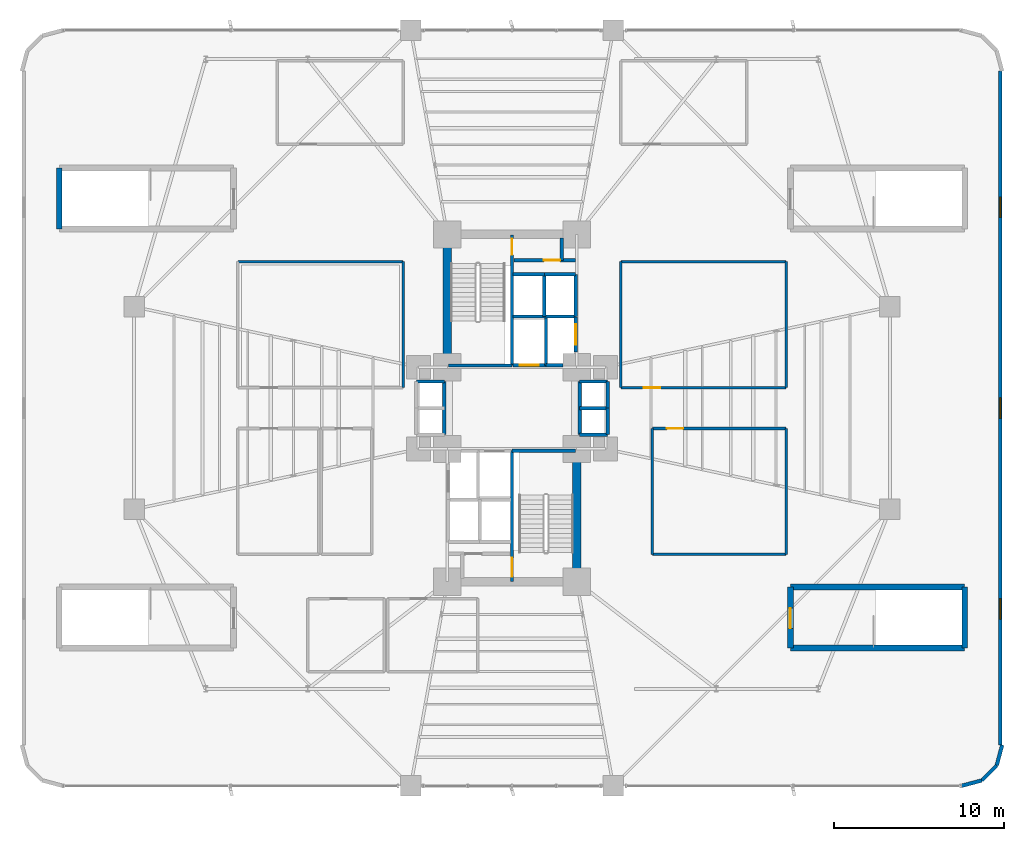
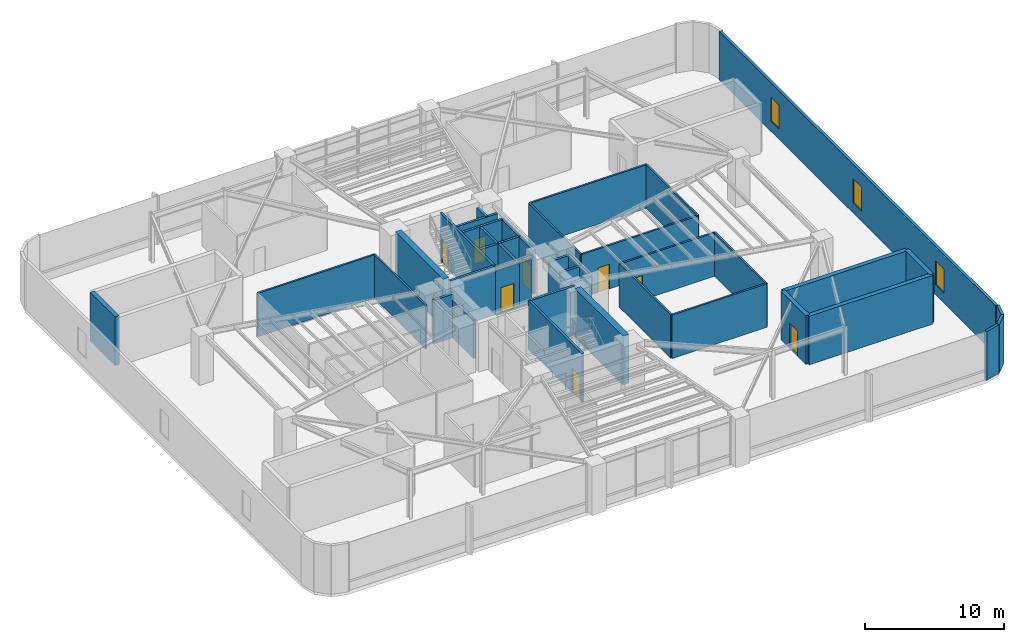
# One storey, part 22 of 26: 44 walls, 8 doors, 3 windows, 11 openings.
"""IFC4 building model written with IfcOpenShell, lengths in metres."""

from ifc_helpers import new_model, si_unit, direction, frame, frame_2d, origin, origin_2d, place, context, subcontext, project, spatial, rectangle, extrude, source, transform, mapped, material, layer, layer_set, type_object, element, fill, save


model = new_model("IFC4")

# Units and contexts
model_context = context("Model", 3, precision=1e-05, world=origin(), true_north=direction((0.0, 1.0)))
body_context = subcontext(model_context, "Body", "Model", "MODEL_VIEW")
ifc_project = project(units=[si_unit("LENGTHUNIT", "METRE"), si_unit("AREAUNIT", "SQUARE_METRE"), si_unit("VOLUMEUNIT", "CUBIC_METRE"), si_unit("PLANEANGLEUNIT", "RADIAN"), si_unit("MASSUNIT", "GRAM", prefix="KILO")], contexts=[model_context])

# Site, building, storey
site_placement = place(None, origin())
site = spatial("IfcSite", under=ifc_project, at=site_placement, CompositionType="ELEMENT")
building_placement = place(site_placement, origin())
building = spatial("IfcBuilding", under=site, at=building_placement, Name="Sahyath Konkavel Grand Hotel", CompositionType="ELEMENT")
storey_placement = place(building_placement, frame((0.0, 0.0, 18.60009765625)))
storey = spatial("IfcBuildingStorey", under=building, at=storey_placement, Name="L04", CompositionType="ELEMENT", Elevation=18.60009765625)

# Walls
ifc_material_1 = material(Name="Concrete C40/50", Category="concrete")
ifc_layer_1 = layer(ifc_material_1, 0.35009765625)
ifc_layer_set_1 = layer_set([ifc_layer_1], Name="Concrete C40/50")
wall_type_1 = type_object("IfcWallType", Name="CWALL-350", PredefinedType="SHEAR", material=ifc_layer_set_1)
wall_1_placement = place(storey_placement, frame((-26.60009765625, 10.52001953125, 0.0), z_axis=(0.0, 0.0, 1.0), x_axis=(0.0, 1.0, 0.0)))
element("IfcWall", 1, at=wall_1_placement, inside=storey, type_object=wall_type_1, Name="L04 Partition ST-P1-W", PredefinedType="SHEAR", context=body_context, shape_type="SweptSolid", body=[
    extrude(rectangle(XDim=3.580078125, YDim=0.35009765625, at=frame_2d((1.7900390625, 0.0))), origin(), (0.0, 0.0, 1.0), 4.260009765625),
])
for number, where, z_axis, x_axis, name in (
    (2, (16.35009765625, -10.52001953125, 0.0), (0.0, 0.0, 1.0), (1.0, 0.0, 0.0), "L04 Partition ST-P4-N"),
    (3, (16.35009765625, -14.10009765625, 0.0), (0.0, 0.0, 1.0), (1.0, 0.0, 0.0), "L04 Partition ST-P4-S"),
):
    element("IfcWall", number, at=place(storey_placement, frame(where, z_axis=z_axis, x_axis=x_axis)), inside=storey, type_object=wall_type_1, Name=name, PredefinedType="SHEAR", context=body_context, shape_type="SweptSolid", body=[
        extrude(rectangle(XDim=10.25, YDim=0.35009765625, at=frame_2d((5.125, 0.0))), origin(), (0.0, 0.0, 1.0), 4.260009765625),
    ])

# Wall, opening, door
wall_2_placement = place(storey_placement, frame((16.35009765625, -14.10009765625, 0.0), z_axis=(0.0, 0.0, 1.0), x_axis=(0.0, 1.0, 0.0)))
wall_2 = element("IfcWall", 4, at=wall_2_placement, inside=storey, type_object=wall_type_1, Name="L04 Partition ST-P4-W", PredefinedType="SHEAR", context=body_context, shape_type="SweptSolid", body=[
    extrude(rectangle(XDim=3.580078125, YDim=0.35009765625, at=frame_2d((1.7900390625, 0.0))), origin(), (0.0, 0.0, 1.0), 4.260009765625),
])
opening_1_placement = place(wall_2_placement, frame((1.14990234375, 0.0, 0.0)))
opening_1 = element("IfcOpeningElement", 5, at=opening_1_placement, cuts=wall_2, Name="Opening D-F12A", PredefinedType="OPENING", context=body_context, shape_type="SweptSolid", body=[
    extrude(rectangle(XDim=1.199951171875, YDim=2.199951171875, at=frame_2d((0.60009765625, 1.10009765625))), frame((0.0, 0.18505859375, 0.0), z_axis=(0.0, -1.0, 0.0), x_axis=(1.0, 0.0, 0.0)), (0.0, 0.0, 1.0), 0.3701171875),
])
ifc_material_2 = material(Name="Steel E350 Fire Door", Category="steel")
door_type_1 = type_object("IfcDoorType", Name="DR-FD120-1200", OperationType="NOTDEFINED", PredefinedType="DOOR", material=ifc_material_2)
shared_shape_1 = source(origin(), body_context, "Body", "SweptSolid", [
    extrude(rectangle(XDim=1.199951171875, YDim=0.050048828125, at=origin_2d()), origin(), (0.0, 0.0, 1.0), 2.199951171875),
])
door_1_placement = place(opening_1_placement, frame((0.60009765625, 0.0, 0.0)))
door_1 = element("IfcDoor", 6, at=door_1_placement, inside=storey, type_object=door_type_1, Name="L04 ST-P4 Fire Door", OperationType="SINGLE_SWING_LEFT", OverallHeight=2.199951171875, OverallWidth=1.199951171875, PredefinedType="DOOR", context=body_context, shape_type="MappedRepresentation", body=[
    mapped(shared_shape_1, transform((0.0, 0.0, 0.0), scale=1.0)),
])
fill(opening_1, door_1)

# Walls
wall_3_placement = place(storey_placement, frame((26.60009765625, -14.10009765625, 0.0), z_axis=(0.0, 0.0, 1.0), x_axis=(0.0, 1.0, 0.0)))
element("IfcWall", 7, at=wall_3_placement, inside=storey, type_object=wall_type_1, Name="L04 Partition ST-P4-E", PredefinedType="SHEAR", context=body_context, shape_type="SweptSolid", body=[
    extrude(rectangle(XDim=3.580078125, YDim=0.35009765625, at=frame_2d((1.7900390625, 0.0))), origin(), (0.0, 0.0, 1.0), 4.260009765625),
])
ifc_material_3 = material(Name="Concrete C70/85", Category="concrete")
ifc_layer_2 = layer(ifc_material_3, 0.5)
ifc_layer_set_2 = layer_set([ifc_layer_2], Name="Concrete C70/85")
wall_type_2 = type_object("IfcWallType", Name="CWALL-500", PredefinedType="SHEAR", material=ifc_layer_set_2)
for number, where, z_axis, x_axis, name in (
    (8, (-3.800048828125, 2.85009765625, 0.0), (0.0, 0.0, 1.0), (0.0, 1.0, 0.0), "L04 North Core Shear Wall W"),
    (9, (3.800048828125, -9.75, 0.0), (0.0, 0.0, 1.0), (0.0, 1.0, 0.0), "L04 South Core Shear Wall E"),
):
    element("IfcWall", number, at=place(storey_placement, frame(where, z_axis=z_axis, x_axis=x_axis)), inside=storey, type_object=wall_type_2, Name=name, PredefinedType="SHEAR", context=body_context, shape_type="SweptSolid", body=[
        extrude(rectangle(XDim=6.89990234375, YDim=0.5, at=frame_2d((3.449951171875, 0.0))), origin(), (0.0, 0.0, 1.0), 4.260009765625),
    ])
ifc_material_4 = material(Name="Warm Buff Sandstone Insulated Concrete C40/50", Category="masonry")
ifc_layer_3 = layer(ifc_material_4, 0.219970703125)
ifc_layer_set_3 = layer_set([ifc_layer_3], Name="Warm Buff Sandstone Insulated Concrete C40/50")
wall_type_3 = type_object("IfcWallType", Name="WLL-BALC-THRESH", PredefinedType="STANDARD", material=ifc_layer_set_3)
wall_4_placement = place(storey_placement, frame((26.39990234375, -22.199951171875, 0.0), z_axis=(0.0, 0.0, 1.0), x_axis=(0.965937527666, 0.25877537102, 0.0)))
element("IfcWall", 10, at=wall_4_placement, inside=storey, type_object=wall_type_3, Name="L04 Rounded Podium Corner Sandstone Pier 0", PredefinedType="STANDARD", context=body_context, shape_type="SweptSolid", body=[
    extrude(rectangle(XDim=1.242431640625, YDim=0.219970703125, at=frame_2d((0.62109375, 0.0))), origin(), (0.0, 0.0, 1.0), 4.260009765625),
])
for number, where, z_axis, x_axis, name in (
    (11, (27.60009765625, -21.87841796875, 0.0), (0.0, 0.0, 1.0), (0.707106781187, 0.707106781187, 0.0), "L04 Rounded Podium Corner Sandstone Pier 1"),
    (12, (28.478515625, -21.0, 0.0), (0.0, 0.0, 1.0), (0.258824494443, 0.965924366126, 0.0), "L04 Rounded Podium Corner Sandstone Pier 2"),
):
    element("IfcWall", number, at=place(storey_placement, frame(where, z_axis=z_axis, x_axis=x_axis)), inside=storey, type_object=wall_type_3, Name=name, PredefinedType="STANDARD", context=body_context, shape_type="SweptSolid", body=[
        extrude(rectangle(XDim=1.2421875, YDim=0.219970703125, at=frame_2d((0.62109375, 0.0))), origin(), (0.0, 0.0, 1.0), 4.260009765625),
    ])

# Wall, openings, windows
wall_5_placement = place(storey_placement, frame((28.68994140625, -19.800048828125, 0.0), z_axis=(0.0, 0.0, 1.0), x_axis=(0.0, 1.0, 0.0)))
wall_5 = element("IfcWall", 13, at=wall_5_placement, inside=storey, type_object=wall_type_3, Name="L04 Sandstone Podium Facade Wall E", PredefinedType="STANDARD", context=body_context, shape_type="SweptSolid", body=[
    extrude(rectangle(XDim=39.60009765625, YDim=0.219970703125, at=frame_2d((19.800048828125, 0.0))), origin(), (0.0, 0.0, 1.0), 4.260009765625),
])
opening_2_placement = place(wall_5_placement, frame((7.39990234375, 0.0, 0.89990234375)))
opening_2 = element("IfcOpeningElement", 14, at=opening_2_placement, cuts=wall_5, Name="Opening W-PD2", PredefinedType="OPENING", context=body_context, shape_type="SweptSolid", body=[
    extrude(rectangle(XDim=1.199951171875, YDim=2.10009765625, at=frame_2d((0.60009765625, 1.050048828125))), frame((0.0, 0.1201171875, 0.0), z_axis=(0.0, -1.0, 0.0), x_axis=(1.0, 0.0, 0.0)), (0.0, 0.0, 1.0), 0.239990234375),
])
opening_3_placement = place(wall_5_placement, frame((19.199951171875, 0.0, 0.89990234375)))
opening_3 = element("IfcOpeningElement", 15, at=opening_3_placement, cuts=wall_5, Name="Opening W-PD2", PredefinedType="OPENING", context=body_context, shape_type="SweptSolid", body=[
    extrude(rectangle(XDim=1.199951171875, YDim=2.10009765625, at=frame_2d((0.60009765625, 1.050048828125))), frame((0.0, 0.1201171875, 0.0), z_axis=(0.0, -1.0, 0.0), x_axis=(1.0, 0.0, 0.0)), (0.0, 0.0, 1.0), 0.239990234375),
])
opening_4_placement = place(wall_5_placement, frame((31.0, 0.0, 0.89990234375)))
opening_4 = element("IfcOpeningElement", 16, at=opening_4_placement, cuts=wall_5, Name="Opening W-PD2", PredefinedType="OPENING", context=body_context, shape_type="SweptSolid", body=[
    extrude(rectangle(XDim=1.199951171875, YDim=2.10009765625, at=frame_2d((0.60009765625, 1.050048828125))), frame((0.0, 0.1201171875, 0.0), z_axis=(0.0, -1.0, 0.0), x_axis=(1.0, 0.0, 0.0)), (0.0, 0.0, 1.0), 0.239990234375),
])
ifc_material_5 = material(Name="Anodised Bronze Aluminium & Low-E Glazing", Category="aluminium")
window_type = type_object("IfcWindowType", Name="WIN-POD-1200", PartitioningType="SINGLE_PANEL", PredefinedType="WINDOW", material=ifc_material_5)
shared_shape_2 = source(origin(), body_context, "Body", "SweptSolid", [
    extrude(rectangle(XDim=1.199951171875, YDim=0.06005859375, at=origin_2d()), origin(), (0.0, 0.0, 1.0), 2.10009765625),
])
window_1_placement = place(opening_2_placement, frame((0.60009765625, 0.0, 0.0)))
window_1 = element("IfcWindow", 17, at=window_1_placement, inside=storey, type_object=window_type, Name="L04 Podium Window E-1", OverallHeight=2.10009765625, OverallWidth=1.199951171875, PartitioningType="SINGLE_PANEL", PredefinedType="WINDOW", context=body_context, shape_type="MappedRepresentation", body=[
    mapped(shared_shape_2, transform((0.0, 0.0, 0.0), scale=1.0)),
])
fill(opening_2, window_1)
window_2_placement = place(opening_3_placement, frame((0.60009765625, 0.0, 0.0)))
window_2 = element("IfcWindow", 18, at=window_2_placement, inside=storey, type_object=window_type, Name="L04 Podium Window E-2", OverallHeight=2.10009765625, OverallWidth=1.199951171875, PartitioningType="SINGLE_PANEL", PredefinedType="WINDOW", context=body_context, shape_type="MappedRepresentation", body=[
    mapped(shared_shape_2, transform((0.0, 0.0, 0.0), scale=1.0)),
])
fill(opening_3, window_2)
window_3_placement = place(opening_4_placement, frame((0.60009765625, 0.0, 0.0)))
window_3 = element("IfcWindow", 19, at=window_3_placement, inside=storey, type_object=window_type, Name="L04 Podium Window E-3", OverallHeight=2.10009765625, OverallWidth=1.199951171875, PartitioningType="SINGLE_PANEL", PredefinedType="WINDOW", context=body_context, shape_type="MappedRepresentation", body=[
    mapped(shared_shape_2, transform((0.0, 0.0, 0.0), scale=1.0)),
])
fill(opening_4, window_3)

# Wall, opening, door
ifc_layer_4 = layer(ifc_material_1, 0.199951171875)
ifc_layer_set_4 = layer_set([ifc_layer_4], Name="Concrete C40/50")
wall_type_4 = type_object("IfcWallType", Name="WLL-CORE-200", PredefinedType="SOLIDWALL", material=ifc_layer_set_4)
wall_6_placement = place(storey_placement, frame((0.0, 2.5, 0.0), z_axis=(0.0, 0.0, 1.0), x_axis=(0.0, 1.0, 0.0)))
wall_6 = element("IfcWall", 20, at=wall_6_placement, inside=storey, type_object=wall_type_4, Name="L04 Stair ST-1 Shaft Wall E", PredefinedType="SOLIDWALL", context=body_context, shape_type="SweptSolid", body=[
    extrude(rectangle(XDim=7.679931640625, YDim=0.199951171875, at=frame_2d((3.83984375, 0.0))), origin(), (0.0, 0.0, 1.0), 4.260009765625),
])
opening_5_placement = place(wall_6_placement, frame((6.5, 0.0, 0.0)))
opening_5 = element("IfcOpeningElement", 21, at=opening_5_placement, cuts=wall_6, Name="Opening D-F12C", PredefinedType="OPENING", context=body_context, shape_type="SweptSolid", body=[
    extrude(rectangle(XDim=0.949951171875, YDim=2.14990234375, at=frame_2d((0.47509765625, 1.074951171875))), frame((0.0, 0.10986328125, 0.0), z_axis=(0.0, -1.0, 0.0), x_axis=(1.0, 0.0, 0.0)), (0.0, 0.0, 1.0), 0.219970703125),
])
ifc_material_6 = material(Name="Steel E350 Plant Fire Door", Category="steel")
door_type_2 = type_object("IfcDoorType", Name="DR-FD120-950", OperationType="NOTDEFINED", PredefinedType="DOOR", material=ifc_material_6)
shared_shape_3 = source(origin(), body_context, "Body", "SweptSolid", [
    extrude(rectangle(XDim=0.949951171875, YDim=0.050048828125, at=origin_2d()), origin(), (0.0, 0.0, 1.0), 2.14990234375),
])
door_2_placement = place(opening_5_placement, frame((0.47509765625, 0.0, 0.0)))
door_2 = element("IfcDoor", 22, at=door_2_placement, inside=storey, type_object=door_type_2, Name="L04 Stair ST-1 Fire Door", OperationType="SINGLE_SWING_RIGHT", OverallHeight=2.14990234375, OverallWidth=0.949951171875, PredefinedType="DOOR", context=body_context, shape_type="MappedRepresentation", body=[
    mapped(shared_shape_3, transform((0.0, 0.0, 0.0), scale=1.0)),
])
fill(opening_5, door_2)

# Wall
wall_7_placement = place(storey_placement, frame((-3.719970703125, 2.5, 0.0), z_axis=(0.0, 0.0, 1.0), x_axis=(1.0, 0.0, 0.0)))
element("IfcWall", 23, at=wall_7_placement, inside=storey, type_object=wall_type_4, Name="L04 Stair ST-1 Shaft Wall S", PredefinedType="SOLIDWALL", context=body_context, shape_type="SweptSolid", body=[
    extrude(rectangle(XDim=3.719970703125, YDim=0.199951171875, at=frame_2d((1.85986328125, 0.0))), origin(), (0.0, 0.0, 1.0), 4.260009765625),
])

# Wall, opening, door
wall_8_placement = place(storey_placement, frame((0.0, -10.179931640625, 0.0), z_axis=(0.0, 0.0, 1.0), x_axis=(0.0, 1.0, 0.0)))
wall_8 = element("IfcWall", 24, at=wall_8_placement, inside=storey, type_object=wall_type_4, Name="L04 Stair ST-2 Shaft Wall W", PredefinedType="SOLIDWALL", context=body_context, shape_type="SweptSolid", body=[
    extrude(rectangle(XDim=7.679931640625, YDim=0.199951171875, at=frame_2d((3.83984375, 0.0))), origin(), (0.0, 0.0, 1.0), 4.260009765625),
])
opening_6_placement = place(wall_8_placement, frame((0.280029296875, 0.0, 0.0)))
opening_6 = element("IfcOpeningElement", 25, at=opening_6_placement, cuts=wall_8, Name="Opening D-F12B", PredefinedType="OPENING", context=body_context, shape_type="SweptSolid", body=[
    extrude(rectangle(XDim=1.10009765625, YDim=2.14990234375, at=frame_2d((0.550048828125, 1.074951171875))), frame((0.0, 0.10986328125, 0.0), z_axis=(0.0, -1.0, 0.0), x_axis=(1.0, 0.0, 0.0)), (0.0, 0.0, 1.0), 0.219970703125),
])
ifc_material_7 = material(Name="Steel E350 Smokeproof Fire Door", Category="steel")
door_type_3 = type_object("IfcDoorType", Name="DR-FD120-1100", OperationType="NOTDEFINED", PredefinedType="DOOR", material=ifc_material_7)
shared_shape_4 = source(origin(), body_context, "Body", "SweptSolid", [
    extrude(rectangle(XDim=1.10009765625, YDim=0.050048828125, at=origin_2d()), origin(), (0.0, 0.0, 1.0), 2.14990234375),
])
door_3_placement = place(opening_6_placement, frame((0.550048828125, 0.0, 0.0)))
door_3 = element("IfcDoor", 26, at=door_3_placement, inside=storey, type_object=door_type_3, Name="L04 Stair ST-2 Fire Door", OperationType="SINGLE_SWING_RIGHT", OverallHeight=2.14990234375, OverallWidth=1.10009765625, PredefinedType="DOOR", context=body_context, shape_type="MappedRepresentation", body=[
    mapped(shared_shape_4, transform((0.0, 0.0, 0.0), scale=1.0)),
])
fill(opening_6, door_3)

# Walls
wall_9_placement = place(storey_placement, frame((0.0, -2.5, 0.0), z_axis=(0.0, 0.0, 1.0), x_axis=(1.0, 0.0, 0.0)))
element("IfcWall", 27, at=wall_9_placement, inside=storey, type_object=wall_type_4, Name="L04 Stair ST-2 Shaft Wall N", PredefinedType="SOLIDWALL", context=body_context, shape_type="SweptSolid", body=[
    extrude(rectangle(XDim=3.719970703125, YDim=0.199951171875, at=frame_2d((1.85986328125, 0.0))), origin(), (0.0, 0.0, 1.0), 4.260009765625),
])
wall_10_placement = place(storey_placement, frame((2.0, 2.5, 0.0), z_axis=(0.0, 0.0, 1.0), x_axis=(0.0, 1.0, 0.0)))
element("IfcWall", 28, at=wall_10_placement, inside=storey, type_object=wall_type_4, Name="L04 Partition SH-FFL1-E", PredefinedType="SOLIDWALL", context=body_context, shape_type="SweptSolid", body=[
    extrude(rectangle(XDim=2.780029296875, YDim=0.199951171875, at=frame_2d((1.39013671875, 0.0))), origin(), (0.0, 0.0, 1.0), 3.809814453125),
])

# Wall, opening, door
wall_11_placement = place(storey_placement, frame((0.050048828125, 2.52001953125, 0.0), z_axis=(0.0, 0.0, 1.0), x_axis=(1.0, 0.0, 0.0)))
wall_11 = element("IfcWall", 29, at=wall_11_placement, inside=storey, type_object=wall_type_4, Name="L04 Partition SH-FFL1-S", PredefinedType="SOLIDWALL", context=body_context, shape_type="SweptSolid", body=[
    extrude(rectangle(XDim=1.949951171875, YDim=0.199951171875, at=frame_2d((0.97509765625, 0.0))), origin(), (0.0, 0.0, 1.0), 3.809814453125),
])
opening_7_placement = place(wall_11_placement, frame((0.419921875, 0.0, 0.0)))
opening_7 = element("IfcOpeningElement", 30, at=opening_7_placement, cuts=wall_11, Name="Opening LD-11", PredefinedType="OPENING", context=body_context, shape_type="SweptSolid", body=[
    extrude(rectangle(XDim=1.10009765625, YDim=2.199951171875, at=frame_2d((0.550048828125, 1.10009765625))), frame((0.0, 0.10986328125, 0.0), z_axis=(0.0, -1.0, 0.0), x_axis=(1.0, 0.0, 0.0)), (0.0, 0.0, 1.0), 0.219970703125),
])
ifc_material_8 = material(Name="Bronze Lift Landing Door 1100")
door_type_4 = type_object("IfcDoorType", Name="DR-LIFT-1100", OperationType="DOUBLE_DOOR_SLIDING", PredefinedType="DOOR", material=ifc_material_8)
shared_shape_5 = source(origin(), body_context, "Body", "SweptSolid", [
    extrude(rectangle(XDim=1.10009765625, YDim=0.050048828125, at=origin_2d()), origin(), (0.0, 0.0, 1.0), 2.199951171875),
])
door_4_placement = place(opening_7_placement, frame((0.550048828125, 0.0, 0.0)))
door_4 = element("IfcDoor", 31, at=door_4_placement, inside=storey, type_object=door_type_4, Name="L04 Lift FFL-1 Landing Door", OperationType="DOUBLE_DOOR_SLIDING", OverallHeight=2.199951171875, OverallWidth=1.10009765625, PredefinedType="DOOR", context=body_context, shape_type="MappedRepresentation", body=[
    mapped(shared_shape_5, transform((0.0, 0.0, 0.0), scale=1.0)),
])
fill(opening_7, door_4)

# Wall
wall_12_placement = place(storey_placement, frame((2.0, 2.52001953125, 0.0), z_axis=(0.0, 0.0, 1.0), x_axis=(1.0, 0.0, 0.0)))
element("IfcWall", 32, at=wall_12_placement, inside=storey, type_object=wall_type_4, Name="L04 Partition SH-SVL1-S", PredefinedType="SOLIDWALL", context=body_context, shape_type="SweptSolid", body=[
    extrude(rectangle(XDim=1.0, YDim=0.199951171875, at=frame_2d((0.5, 0.0))), origin(), (0.0, 0.0, 1.0), 3.809814453125),
])

# Wall, opening, door
wall_13_placement = place(storey_placement, frame((3.739990234375, 3.280029296875, 0.0), z_axis=(0.0, 0.0, 1.0), x_axis=(0.0, 1.0, 0.0)))
wall_13 = element("IfcWall", 33, at=wall_13_placement, inside=storey, type_object=wall_type_4, Name="L04 Partition SH-SVL1-E", PredefinedType="SOLIDWALL", context=body_context, shape_type="SweptSolid", body=[
    extrude(rectangle(XDim=2.080078125, YDim=0.199951171875, at=frame_2d((1.0400390625, 0.0))), origin(), (0.0, 0.0, 1.0), 3.809814453125),
])
opening_8_placement = place(wall_13_placement, frame((0.43994140625, 0.0, 0.0)))
opening_8 = element("IfcOpeningElement", 34, at=opening_8_placement, cuts=wall_13, Name="Opening LD-12", PredefinedType="OPENING", context=body_context, shape_type="SweptSolid", body=[
    extrude(rectangle(XDim=1.199951171875, YDim=2.199951171875, at=frame_2d((0.60009765625, 1.10009765625))), frame((0.0, 0.10986328125, 0.0), z_axis=(0.0, -1.0, 0.0), x_axis=(1.0, 0.0, 0.0)), (0.0, 0.0, 1.0), 0.219970703125),
])
ifc_material_9 = material(Name="Stainless Steel Lift Landing Door 1200", Category="steel")
door_type_5 = type_object("IfcDoorType", Name="DR-LIFT-1200", OperationType="DOUBLE_DOOR_SLIDING", PredefinedType="DOOR", material=ifc_material_9)
door_5_placement = place(opening_8_placement, frame((0.60009765625, 0.0, 0.0)))
door_5 = element("IfcDoor", 35, at=door_5_placement, inside=storey, type_object=door_type_5, Name="L04 Service Lift SVL-1 Landing Door", OperationType="DOUBLE_DOOR_SLIDING", OverallHeight=2.199951171875, OverallWidth=1.199951171875, PredefinedType="DOOR", context=body_context, shape_type="MappedRepresentation", body=[
    mapped(shared_shape_1, transform((0.0, 0.0, 0.0), scale=1.0)),
])
fill(opening_8, door_5)

# Walls
wall_14_placement = place(storey_placement, frame((0.050048828125, 5.3798828125, 0.0), z_axis=(0.0, 0.0, 1.0), x_axis=(1.0, 0.0, 0.0)))
element("IfcWall", 36, at=wall_14_placement, inside=storey, type_object=wall_type_4, Name="L04 Partition SH-PL12-S", PredefinedType="SOLIDWALL", context=body_context, shape_type="SweptSolid", body=[
    extrude(rectangle(XDim=3.68994140625, YDim=0.199951171875, at=frame_2d((1.844970703125, 0.0))), origin(), (0.0, 0.0, 1.0), 3.809814453125),
])
wall_15_placement = place(storey_placement, frame((1.89990234375, 5.3798828125, 0.0), z_axis=(0.0, 0.0, 1.0), x_axis=(0.0, 1.0, 0.0)))
element("IfcWall", 37, at=wall_15_placement, inside=storey, type_object=wall_type_4, Name="L04 Partition SH-PL12-M", PredefinedType="SOLIDWALL", context=body_context, shape_type="SweptSolid", body=[
    extrude(rectangle(XDim=2.480224609375, YDim=0.199951171875, at=frame_2d((1.240234375, 0.0))), origin(), (0.0, 0.0, 1.0), 3.809814453125),
])
wall_16_placement = place(storey_placement, frame((0.050048828125, 7.860107421875, 0.0), z_axis=(0.0, 0.0, 1.0), x_axis=(1.0, 0.0, 0.0)))
element("IfcWall", 38, at=wall_16_placement, inside=storey, type_object=wall_type_4, Name="L04 Partition SH-PL1-N", PredefinedType="SOLIDWALL", context=body_context, shape_type="SweptSolid", body=[
    extrude(rectangle(XDim=1.849853515625, YDim=0.199951171875, at=frame_2d((0.9248046875, 0.0))), origin(), (0.0, 0.0, 1.0), 3.809814453125),
])
wall_17_placement = place(storey_placement, frame((3.739990234375, 5.3798828125, 0.0), z_axis=(0.0, 0.0, 1.0), x_axis=(0.0, 1.0, 0.0)))
element("IfcWall", 39, at=wall_17_placement, inside=storey, type_object=wall_type_4, Name="L04 Partition SH-PL2-E", PredefinedType="SOLIDWALL", context=body_context, shape_type="SweptSolid", body=[
    extrude(rectangle(XDim=2.480224609375, YDim=0.199951171875, at=frame_2d((1.240234375, 0.0))), origin(), (0.0, 0.0, 1.0), 3.809814453125),
])
wall_18_placement = place(storey_placement, frame((1.89990234375, 7.860107421875, 0.0), z_axis=(0.0, 0.0, 1.0), x_axis=(1.0, 0.0, 0.0)))
element("IfcWall", 40, at=wall_18_placement, inside=storey, type_object=wall_type_4, Name="L04 Partition SH-PL2-N", PredefinedType="SOLIDWALL", context=body_context, shape_type="SweptSolid", body=[
    extrude(rectangle(XDim=1.840087890625, YDim=0.199951171875, at=frame_2d((0.919921875, 0.0))), origin(), (0.0, 0.0, 1.0), 3.809814453125),
])
wall_19_placement = place(storey_placement, frame((3.97998046875, -1.56005859375, 0.0), z_axis=(0.0, 0.0, 1.0), x_axis=(0.0, 1.0, 0.0)))
element("IfcWall", 41, at=wall_19_placement, inside=storey, type_object=wall_type_4, Name="L04 Partition SH-PL56-W", PredefinedType="SOLIDWALL", context=body_context, shape_type="SweptSolid", body=[
    extrude(rectangle(XDim=3.1201171875, YDim=0.199951171875, at=frame_2d((1.56005859375, 0.0))), origin(), (0.0, 0.0, 1.0), 3.329833984375),
])
for number, where, z_axis, x_axis, name in (
    (42, (3.97998046875, 1.56005859375, 0.0), (0.0, 0.0, 1.0), (1.0, 0.0, 0.0), "L04 Partition SH-PL56-N"),
    (43, (3.97998046875, -1.56005859375, 0.0), (0.0, 0.0, 1.0), (1.0, 0.0, 0.0), "L04 Partition SH-PL56-S"),
    (44, (3.97998046875, 0.0, 0.0), (0.0, 0.0, 1.0), (1.0, 0.0, 0.0), "L04 Partition SH-PL56-M"),
):
    element("IfcWall", number, at=place(storey_placement, frame(where, z_axis=z_axis, x_axis=x_axis)), inside=storey, type_object=wall_type_4, Name=name, PredefinedType="SOLIDWALL", context=body_context, shape_type="SweptSolid", body=[
        extrude(rectangle(XDim=1.64013671875, YDim=0.199951171875, at=frame_2d((0.820068359375, 0.0))), origin(), (0.0, 0.0, 1.0), 3.809814453125),
    ])
for number, where, z_axis, x_axis, name in (
    (45, (5.6201171875, 0.0, 0.0), (0.0, 0.0, 1.0), (0.0, 1.0, 0.0), "L04 Partition SH-PL5-E"),
    (46, (5.6201171875, -1.56005859375, 0.0), (0.0, 0.0, 1.0), (0.0, 1.0, 0.0), "L04 Partition SH-PL6-E"),
):
    element("IfcWall", number, at=place(storey_placement, frame(where, z_axis=z_axis, x_axis=x_axis)), inside=storey, type_object=wall_type_4, Name=name, PredefinedType="SOLIDWALL", context=body_context, shape_type="SweptSolid", body=[
        extrude(rectangle(XDim=1.56005859375, YDim=0.199951171875, at=frame_2d((0.780029296875, 0.0))), origin(), (0.0, 0.0, 1.0), 3.809814453125),
    ])
wall_20_placement = place(storey_placement, frame((-3.97998046875, -1.56005859375, 0.0), z_axis=(0.0, 0.0, 1.0), x_axis=(0.0, 1.0, 0.0)))
element("IfcWall", 47, at=wall_20_placement, inside=storey, type_object=wall_type_4, Name="L04 Partition SH-SL12-E", PredefinedType="SOLIDWALL", context=body_context, shape_type="SweptSolid", body=[
    extrude(rectangle(XDim=3.1201171875, YDim=0.199951171875, at=frame_2d((1.56005859375, 0.0))), origin(), (0.0, 0.0, 1.0), 3.329833984375),
])
wall_21_placement = place(storey_placement, frame((-5.6201171875, 1.56005859375, 0.0), z_axis=(0.0, 0.0, 1.0), x_axis=(1.0, 0.0, 0.0)))
element("IfcWall", 48, at=wall_21_placement, inside=storey, type_object=wall_type_4, Name="L04 Partition SH-SL12-N", PredefinedType="SOLIDWALL", context=body_context, shape_type="SweptSolid", body=[
    extrude(rectangle(XDim=1.64013671875, YDim=0.199951171875, at=frame_2d((0.820068359375, 0.0))), origin(), (0.0, 0.0, 1.0), 3.809814453125),
])

# Wall, opening, door
wall_22_placement = place(storey_placement, frame((0.1201171875, 8.679931640625, 0.0), z_axis=(0.0, 0.0, 1.0), x_axis=(1.0, 0.0, 0.0)))
wall_22 = element("IfcWall", 49, at=wall_22_placement, inside=storey, type_object=wall_type_4, Name="L04 North FF Lobby Separation Wall", PredefinedType="SOLIDWALL", context=body_context, shape_type="SweptSolid", body=[
    extrude(rectangle(XDim=3.619873046875, YDim=0.199951171875, at=frame_2d((1.81005859375, 0.0))), origin(), (0.0, 0.0, 1.0), 3.809814453125),
])
opening_9_placement = place(wall_22_placement, frame((1.75, 0.0, 0.0)))
opening_9 = element("IfcOpeningElement", 50, at=opening_9_placement, cuts=wall_22, Name="Opening D-F12C", PredefinedType="OPENING", context=body_context, shape_type="SweptSolid", body=[
    extrude(rectangle(XDim=0.949951171875, YDim=2.14990234375, at=frame_2d((0.47509765625, 1.074951171875))), frame((0.0, 0.10986328125, 0.0), z_axis=(0.0, -1.0, 0.0), x_axis=(1.0, 0.0, 0.0)), (0.0, 0.0, 1.0), 0.219970703125),
])
door_6_placement = place(opening_9_placement, frame((0.47509765625, 0.0, 0.0)))
door_6 = element("IfcDoor", 51, at=door_6_placement, inside=storey, type_object=door_type_2, Name="L04 North Firefighting Lobby Door", OperationType="SINGLE_SWING_LEFT", OverallHeight=2.14990234375, OverallWidth=0.949951171875, PredefinedType="DOOR", context=body_context, shape_type="MappedRepresentation", body=[
    mapped(shared_shape_3, transform((0.0, 0.0, 0.0), scale=1.0)),
])
fill(opening_9, door_6)

# Walls
wall_23_placement = place(storey_placement, frame((2.919921875, 8.679931640625, 0.0), z_axis=(0.0, 0.0, 1.0), x_axis=(0.0, 1.0, 0.0)))
element("IfcWall", 52, at=wall_23_placement, inside=storey, type_object=wall_type_4, Name="L04 Partition NFF-E2", PredefinedType="SOLIDWALL", context=body_context, shape_type="SweptSolid", body=[
    extrude(rectangle(XDim=1.320068359375, YDim=0.199951171875, at=frame_2d((0.66015625, 0.0))), origin(), (0.0, 0.0, 1.0), 3.809814453125),
])
ifc_material_10 = material(Name="Fire-Rated Gypsum Plasterboard Partition")
ifc_layer_5 = layer(ifc_material_10, 0.14990234375)
ifc_layer_set_5 = layer_set([ifc_layer_5], Name="Fire-Rated Gypsum Plasterboard Partition")
wall_type_5 = type_object("IfcWallType", Name="WLL-PART-150", PredefinedType="PARTITIONING", material=ifc_layer_set_5)
wall_24_placement = place(storey_placement, frame((-16.10009765625, 8.60009765625, 0.0), z_axis=(0.0, 0.0, 1.0), x_axis=(1.0, 0.0, 0.0)))
element("IfcWall", 53, at=wall_24_placement, inside=storey, type_object=wall_type_5, Name="L04 Partition L04-SPA-N", PredefinedType="PARTITIONING", context=body_context, shape_type="SweptSolid", body=[
    extrude(rectangle(XDim=9.7001953125, YDim=0.14990234375, at=frame_2d((4.85009765625, 0.0))), origin(), (0.0, 0.0, 1.0), 3.809814453125),
])
wall_25_placement = place(storey_placement, frame((-6.39990234375, 1.199951171875, 0.0), z_axis=(0.0, 0.0, 1.0), x_axis=(0.0, 1.0, 0.0)))
element("IfcWall", 54, at=wall_25_placement, inside=storey, type_object=wall_type_5, Name="L04 Partition L04-SPA-E", PredefinedType="PARTITIONING", context=body_context, shape_type="SweptSolid", body=[
    extrude(rectangle(XDim=7.400146484375, YDim=0.14990234375, at=frame_2d((3.7001953125, 0.0))), origin(), (0.0, 0.0, 1.0), 3.809814453125),
])
wall_26_placement = place(storey_placement, frame((6.39990234375, 8.60009765625, 0.0), z_axis=(0.0, 0.0, 1.0), x_axis=(1.0, 0.0, 0.0)))
element("IfcWall", 55, at=wall_26_placement, inside=storey, type_object=wall_type_5, Name="L04 Partition L04-FIT-N", PredefinedType="PARTITIONING", context=body_context, shape_type="SweptSolid", body=[
    extrude(rectangle(XDim=9.7001953125, YDim=0.14990234375, at=frame_2d((4.85009765625, 0.0))), origin(), (0.0, 0.0, 1.0), 3.809814453125),
])

# Wall, opening, door
wall_27_placement = place(storey_placement, frame((6.39990234375, 1.199951171875, 0.0), z_axis=(0.0, 0.0, 1.0), x_axis=(1.0, 0.0, 0.0)))
wall_27 = element("IfcWall", 56, at=wall_27_placement, inside=storey, type_object=wall_type_5, Name="L04 Partition L04-FIT-S", PredefinedType="PARTITIONING", context=body_context, shape_type="SweptSolid", body=[
    extrude(rectangle(XDim=9.7001953125, YDim=0.14990234375, at=frame_2d((4.85009765625, 0.0))), origin(), (0.0, 0.0, 1.0), 3.809814453125),
])
opening_10_placement = place(wall_27_placement, frame((1.35009765625, 0.0, 0.0)))
opening_10 = element("IfcOpeningElement", 57, at=opening_10_placement, cuts=wall_27, Name="Opening D-F06B", PredefinedType="OPENING", context=body_context, shape_type="SweptSolid", body=[
    extrude(rectangle(XDim=0.949951171875, YDim=2.14990234375, at=frame_2d((0.47509765625, 1.074951171875))), frame((0.0, 0.0849609375, 0.0), z_axis=(0.0, -1.0, 0.0), x_axis=(1.0, 0.0, 0.0)), (0.0, 0.0, 1.0), 0.169921875),
])
ifc_material_11 = material(Name="Teak Veneer Fire-Rated Guest Entrance Door")
door_type_6 = type_object("IfcDoorType", Name="DR-FD60-950", OperationType="NOTDEFINED", PredefinedType="DOOR", material=ifc_material_11)
door_7_placement = place(opening_10_placement, frame((0.47509765625, 0.0, 0.0)))
door_7 = element("IfcDoor", 58, at=door_7_placement, inside=storey, type_object=door_type_6, Name="L04 Door L04-FIT-D", OperationType="SINGLE_SWING_LEFT", OverallHeight=2.14990234375, OverallWidth=0.949951171875, PredefinedType="DOOR", context=body_context, shape_type="MappedRepresentation", body=[
    mapped(shared_shape_3, transform((0.0, 0.0, 0.0), scale=1.0)),
])
fill(opening_10, door_7)

# Walls
for number, where, z_axis, x_axis, name in (
    (59, (6.39990234375, 1.199951171875, 0.0), (0.0, 0.0, 1.0), (0.0, 1.0, 0.0), "L04 Partition L04-FIT-W"),
    (60, (16.10009765625, 1.199951171875, 0.0), (0.0, 0.0, 1.0), (0.0, 1.0, 0.0), "L04 Partition L04-FIT-E"),
):
    element("IfcWall", number, at=place(storey_placement, frame(where, z_axis=z_axis, x_axis=x_axis)), inside=storey, type_object=wall_type_5, Name=name, PredefinedType="PARTITIONING", context=body_context, shape_type="SweptSolid", body=[
        extrude(rectangle(XDim=7.400146484375, YDim=0.14990234375, at=frame_2d((3.7001953125, 0.0))), origin(), (0.0, 0.0, 1.0), 3.809814453125),
    ])

# Wall, opening, door
wall_28_placement = place(storey_placement, frame((8.25, -1.199951171875, 0.0), z_axis=(0.0, 0.0, 1.0), x_axis=(1.0, 0.0, 0.0)))
wall_28 = element("IfcWall", 61, at=wall_28_placement, inside=storey, type_object=wall_type_5, Name="L04 Partition L04-YOGA-N", PredefinedType="PARTITIONING", context=body_context, shape_type="SweptSolid", body=[
    extrude(rectangle(XDim=7.85009765625, YDim=0.14990234375, at=frame_2d((3.925048828125, 0.0))), origin(), (0.0, 0.0, 1.0), 3.809814453125),
])
opening_11_placement = place(wall_28_placement, frame((0.85009765625, 0.0, 0.0)))
opening_11 = element("IfcOpeningElement", 62, at=opening_11_placement, cuts=wall_28, Name="Opening D-F06B", PredefinedType="OPENING", context=body_context, shape_type="SweptSolid", body=[
    extrude(rectangle(XDim=0.949951171875, YDim=2.14990234375, at=frame_2d((0.47509765625, 1.074951171875))), frame((0.0, 0.0849609375, 0.0), z_axis=(0.0, -1.0, 0.0), x_axis=(1.0, 0.0, 0.0)), (0.0, 0.0, 1.0), 0.169921875),
])
door_8_placement = place(opening_11_placement, frame((0.47509765625, 0.0, 0.0)))
door_8 = element("IfcDoor", 63, at=door_8_placement, inside=storey, type_object=door_type_6, Name="L04 Door L04-YOGA-D", OperationType="SINGLE_SWING_RIGHT", OverallHeight=2.14990234375, OverallWidth=0.949951171875, PredefinedType="DOOR", context=body_context, shape_type="MappedRepresentation", body=[
    mapped(shared_shape_3, transform((0.0, 0.0, 0.0), scale=1.0)),
])
fill(opening_11, door_8)

# Walls
wall_29_placement = place(storey_placement, frame((8.25, -8.60009765625, 0.0), z_axis=(0.0, 0.0, 1.0), x_axis=(1.0, 0.0, 0.0)))
element("IfcWall", 64, at=wall_29_placement, inside=storey, type_object=wall_type_5, Name="L04 Partition L04-YOGA-S", PredefinedType="PARTITIONING", context=body_context, shape_type="SweptSolid", body=[
    extrude(rectangle(XDim=7.85009765625, YDim=0.14990234375, at=frame_2d((3.925048828125, 0.0))), origin(), (0.0, 0.0, 1.0), 3.809814453125),
])
for number, where, z_axis, x_axis, name in (
    (65, (8.25, -8.60009765625, 0.0), (0.0, 0.0, 1.0), (0.0, 1.0, 0.0), "L04 Partition L04-YOGA-W"),
    (66, (16.10009765625, -8.60009765625, 0.0), (0.0, 0.0, 1.0), (0.0, 1.0, 0.0), "L04 Partition L04-YOGA-E"),
):
    element("IfcWall", number, at=place(storey_placement, frame(where, z_axis=z_axis, x_axis=x_axis)), inside=storey, type_object=wall_type_5, Name=name, PredefinedType="PARTITIONING", context=body_context, shape_type="SweptSolid", body=[
        extrude(rectangle(XDim=7.400146484375, YDim=0.14990234375, at=frame_2d((3.7001953125, 0.0))), origin(), (0.0, 0.0, 1.0), 3.809814453125),
    ])

save(model, "model.ifc")
